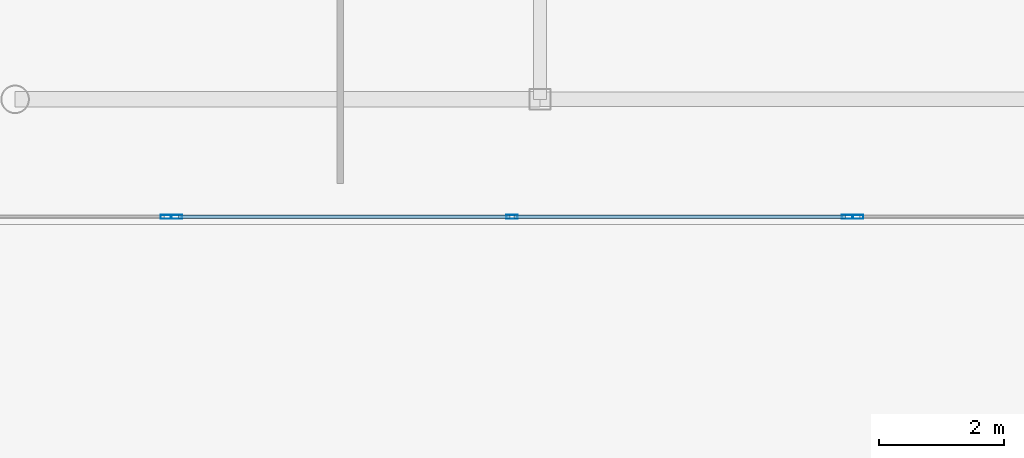
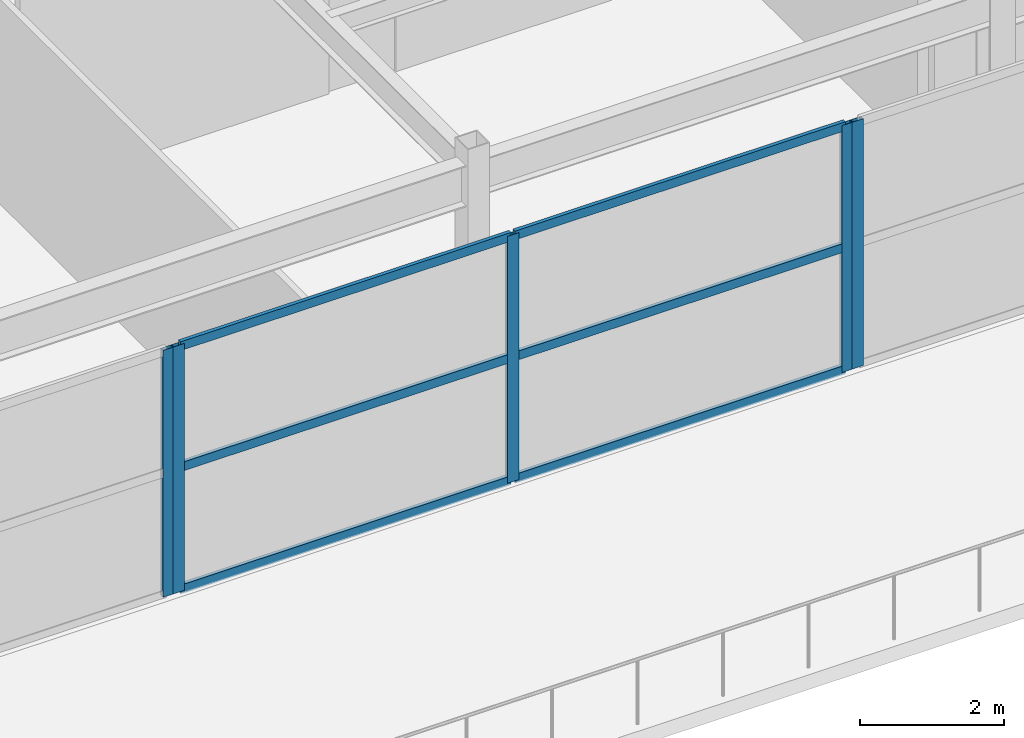
# One storey, part 41 of 107: 11 members, 3 elements without a shape of their own.
"""IFC4 building model written with IfcOpenShell, lengths in metres."""

from ifc_helpers import new_model, si_unit, direction, frame, origin, origin_2d, place, context, subcontext, project, spatial, hollow_rectangle, extrude, material, layer, layer_set, material_profile, profile_set, type_object, element, aggregate, save


model = new_model("IFC4")

# Units and contexts
model_context = context("Model", 3, precision=1e-05, world=origin(), true_north=direction((0.0, 1.0)))
body_context = subcontext(model_context, "Body", "Model", "MODEL_VIEW")
ifc_project = project(units=[si_unit("LENGTHUNIT", "METRE"), si_unit("AREAUNIT", "SQUARE_METRE"), si_unit("VOLUMEUNIT", "CUBIC_METRE"), si_unit("PLANEANGLEUNIT", "RADIAN"), si_unit("MASSUNIT", "GRAM", prefix="KILO")], contexts=[model_context])

# Site, building, storey
site_placement = place(None, origin())
site = spatial("IfcSite", under=ifc_project, at=site_placement, CompositionType="ELEMENT")
building_placement = place(site_placement, origin())
building = spatial("IfcBuilding", under=site, at=building_placement, Name="Kalgoora Escarpment Arena", CompositionType="ELEMENT")
storey_placement = place(building_placement, frame((0.0, 0.0, 5.39990234375)))
storey = spatial("IfcBuildingStorey", under=building, at=storey_placement, Name="L01", CompositionType="ELEMENT", Elevation=5.39990234375)

# Curtain wall, member
ifc_material_1 = material(Name=" Champagne anodised aluminium & double-glazed low-E", Category="aluminium")
ifc_layer_1 = layer(ifc_material_1, 0.162109375)
ifc_layer_set_1 = layer_set([ifc_layer_1], Name="CW-UNIT-03")
curtain_wall_type_1 = type_object("IfcCurtainWallType", Name="CW-UNIT-03", PredefinedType="NOTDEFINED", material=ifc_layer_set_1)
curtain_wall_1_placement = place(storey_placement, origin())
curtain_wall_1 = element("IfcCurtainWall", 1, at=curtain_wall_1_placement, inside=storey, type_object=curtain_wall_type_1, Name="L01 unitised facade curtain wall 002", PredefinedType="NOTDEFINED")
ifc_material_2 = material(Name="Anodised aluminium 6063-T6", Category="aluminium")
ifc_material_profile_1 = material_profile(ifc_material_2, hollow_rectangle(XDim=0.06494140625, YDim=0.179931640625, WallThickness=0.00390625, at=origin_2d()))
ifc_profile_set_1 = profile_set([ifc_material_profile_1], Name="Anodised aluminium 6063-T6")
member_type_1 = type_object("IfcMemberType", Name="MEM-CW-MULL-180", PredefinedType="MULLION", material=ifc_profile_set_1)
member_1_placement = place(storey_placement, frame((156.282470703125, 6.1201171875, 0.02001953125), z_axis=(0.0, 0.0, 1.0), x_axis=(0.0, -1.0, 0.0)))
member_1 = element("IfcMember", 2, at=member_1_placement, type_object=member_type_1, Name="CW-03 mullion 3", PredefinedType="MULLION", context=body_context, shape_type="SweptSolid", body=[
    extrude(hollow_rectangle(XDim=0.06494140625, YDim=0.179931640625, WallThickness=0.00390625, at=origin_2d()), origin(), (0.0, 0.0, 1.0), 4.190185546875),
])
aggregate(curtain_wall_1, [member_1])

# Curtain wall, members
ifc_material_3 = material(Name=" Champagne anodised aluminium & double-glazed low-E", Category="aluminium")
ifc_layer_2 = layer(ifc_material_3, 0.166015625)
ifc_layer_set_2 = layer_set([ifc_layer_2], Name="CW-UNIT-04")
curtain_wall_type_2 = type_object("IfcCurtainWallType", Name="CW-UNIT-04", PredefinedType="NOTDEFINED", material=ifc_layer_set_2)
curtain_wall_2_placement = place(storey_placement, origin())
curtain_wall_2 = element("IfcCurtainWall", 3, at=curtain_wall_2_placement, inside=storey, type_object=curtain_wall_type_2, Name="L01 unitised facade curtain wall 003", PredefinedType="NOTDEFINED")
member_2_placement = place(storey_placement, frame((156.117431640625, 6.1201171875, 0.02001953125), z_axis=(0.0, 0.0, 1.0), x_axis=(0.0, -1.0, 0.0)))
member_2 = element("IfcMember", 4, at=member_2_placement, type_object=member_type_1, Name="CW-04 mullion 1", PredefinedType="MULLION", context=body_context, shape_type="SweptSolid", body=[
    extrude(hollow_rectangle(XDim=0.06494140625, YDim=0.179931640625, WallThickness=0.00390625, at=origin_2d()), origin(), (0.0, 0.0, 1.0), 4.190185546875),
])
member_3_placement = place(storey_placement, frame((150.75, 6.1201171875, 0.02001953125), z_axis=(0.0, 0.0, 1.0), x_axis=(0.0, -1.0, 0.0)))
member_3 = element("IfcMember", 5, at=member_3_placement, type_object=member_type_1, Name="CW-04 mullion 2", PredefinedType="MULLION", context=body_context, shape_type="SweptSolid", body=[
    extrude(hollow_rectangle(XDim=0.06494140625, YDim=0.179931640625, WallThickness=0.00390625, at=origin_2d()), origin(), (0.0, 0.0, 1.0), 4.190185546875),
])
member_4_placement = place(storey_placement, frame((145.382568359375, 6.1201171875, 0.02001953125), z_axis=(0.0, 0.0, 1.0), x_axis=(0.0, -1.0, 0.0)))
member_4 = element("IfcMember", 6, at=member_4_placement, type_object=member_type_1, Name="CW-04 mullion 3", PredefinedType="MULLION", context=body_context, shape_type="SweptSolid", body=[
    extrude(hollow_rectangle(XDim=0.06494140625, YDim=0.179931640625, WallThickness=0.00390625, at=origin_2d()), origin(), (0.0, 0.0, 1.0), 4.190185546875),
])

# Curtain wall, member
ifc_material_4 = material(Name=" Champagne anodised aluminium & double-glazed low-E", Category="aluminium")
ifc_layer_3 = layer(ifc_material_4, 0.14990234375)
ifc_layer_set_3 = layer_set([ifc_layer_3], Name="CW-UNIT-05")
curtain_wall_type_3 = type_object("IfcCurtainWallType", Name="CW-UNIT-05", PredefinedType="NOTDEFINED", material=ifc_layer_set_3)
curtain_wall_3_placement = place(storey_placement, origin())
curtain_wall_3 = element("IfcCurtainWall", 7, at=curtain_wall_3_placement, inside=storey, type_object=curtain_wall_type_3, Name="L01 unitised facade curtain wall 004", PredefinedType="NOTDEFINED")
member_5_placement = place(storey_placement, frame((145.217529296875, 6.1201171875, 0.02001953125), z_axis=(0.0, 0.0, 1.0), x_axis=(0.0, -1.0, 0.0)))
member_5 = element("IfcMember", 8, at=member_5_placement, type_object=member_type_1, Name="CW-05 mullion 1", PredefinedType="MULLION", context=body_context, shape_type="SweptSolid", body=[
    extrude(hollow_rectangle(XDim=0.06494140625, YDim=0.179931640625, WallThickness=0.00390625, at=origin_2d()), origin(), (0.0, 0.0, 1.0), 4.190185546875),
])
aggregate(curtain_wall_3, [member_5])

# Member
ifc_material_5 = material(Name="Anodised aluminium 6063-T6", Category="aluminium")
ifc_material_profile_2 = material_profile(ifc_material_5, hollow_rectangle(XDim=0.06005859375, YDim=0.14990234375, WallThickness=0.00341796875, at=origin_2d()))
ifc_profile_set_2 = profile_set([ifc_material_profile_2], Name="Anodised aluminium 6063-T6")
member_type_2 = type_object("IfcMemberType", Name="MEM-CW-TRAN-150", PredefinedType="USERDEFINED", material=ifc_profile_set_2)
member_6_placement = place(storey_placement, frame((156.0849609375, 6.1201171875, 0.050048828125), z_axis=(-1.0, 0.0, 0.0), x_axis=(0.0, -1.0, 0.0)))
member_6 = element("IfcMember", 9, at=member_6_placement, type_object=member_type_2, Name="CW-04 transom 1.1", ObjectType="TRANSOM", PredefinedType="USERDEFINED", context=body_context, shape_type="SweptSolid", body=[
    extrude(hollow_rectangle(XDim=0.06005859375, YDim=0.14990234375, WallThickness=0.00341796875, at=origin_2d()), origin(), (0.0, 0.0, 1.0), 5.302490234375),
])

member_7_placement = place(storey_placement, frame((156.0849609375, 6.1201171875, 2.125), z_axis=(-1.0, 0.0, 0.0), x_axis=(0.0, -1.0, 0.0)))
member_7 = element("IfcMember", 10, at=member_7_placement, type_object=member_type_2, Name="CW-04 transom 1.2", ObjectType="TRANSOM", PredefinedType="USERDEFINED", context=body_context, shape_type="SweptSolid", body=[
    extrude(hollow_rectangle(XDim=0.06005859375, YDim=0.14990234375, WallThickness=0.00341796875, at=origin_2d()), origin(), (0.0, 0.0, 1.0), 5.302490234375),
])

member_8_placement = place(storey_placement, frame((156.0849609375, 6.1201171875, 4.18017578125), z_axis=(-1.0, 0.0, 0.0), x_axis=(0.0, -1.0, 0.0)))
member_8 = element("IfcMember", 11, at=member_8_placement, type_object=member_type_2, Name="CW-04 transom 1.3", ObjectType="TRANSOM", PredefinedType="USERDEFINED", context=body_context, shape_type="SweptSolid", body=[
    extrude(hollow_rectangle(XDim=0.06005859375, YDim=0.14990234375, WallThickness=0.00341796875, at=origin_2d()), origin(), (0.0, 0.0, 1.0), 5.302490234375),
])

member_9_placement = place(storey_placement, frame((150.717529296875, 6.1201171875, 0.050048828125), z_axis=(-1.0, 0.0, 0.0), x_axis=(0.0, -1.0, 0.0)))
member_9 = element("IfcMember", 12, at=member_9_placement, type_object=member_type_2, Name="CW-04 transom 2.1", ObjectType="TRANSOM", PredefinedType="USERDEFINED", context=body_context, shape_type="SweptSolid", body=[
    extrude(hollow_rectangle(XDim=0.06005859375, YDim=0.14990234375, WallThickness=0.00341796875, at=origin_2d()), origin(), (0.0, 0.0, 1.0), 5.302490234375),
])

member_10_placement = place(storey_placement, frame((150.717529296875, 6.1201171875, 2.125), z_axis=(-1.0, 0.0, 0.0), x_axis=(0.0, -1.0, 0.0)))
member_10 = element("IfcMember", 13, at=member_10_placement, type_object=member_type_2, Name="CW-04 transom 2.2", ObjectType="TRANSOM", PredefinedType="USERDEFINED", context=body_context, shape_type="SweptSolid", body=[
    extrude(hollow_rectangle(XDim=0.06005859375, YDim=0.14990234375, WallThickness=0.00341796875, at=origin_2d()), origin(), (0.0, 0.0, 1.0), 5.302490234375),
])

member_11_placement = place(storey_placement, frame((150.717529296875, 6.1201171875, 4.18017578125), z_axis=(-1.0, 0.0, 0.0), x_axis=(0.0, -1.0, 0.0)))
member_11 = element("IfcMember", 14, at=member_11_placement, type_object=member_type_2, Name="CW-04 transom 2.3", ObjectType="TRANSOM", PredefinedType="USERDEFINED", context=body_context, shape_type="SweptSolid", body=[
    extrude(hollow_rectangle(XDim=0.06005859375, YDim=0.14990234375, WallThickness=0.00341796875, at=origin_2d()), origin(), (0.0, 0.0, 1.0), 5.302490234375),
])

aggregate(curtain_wall_2, [member_2, member_3, member_4, member_6, member_7, member_8, member_9, member_10, member_11])

save(model, "model.ifc")
